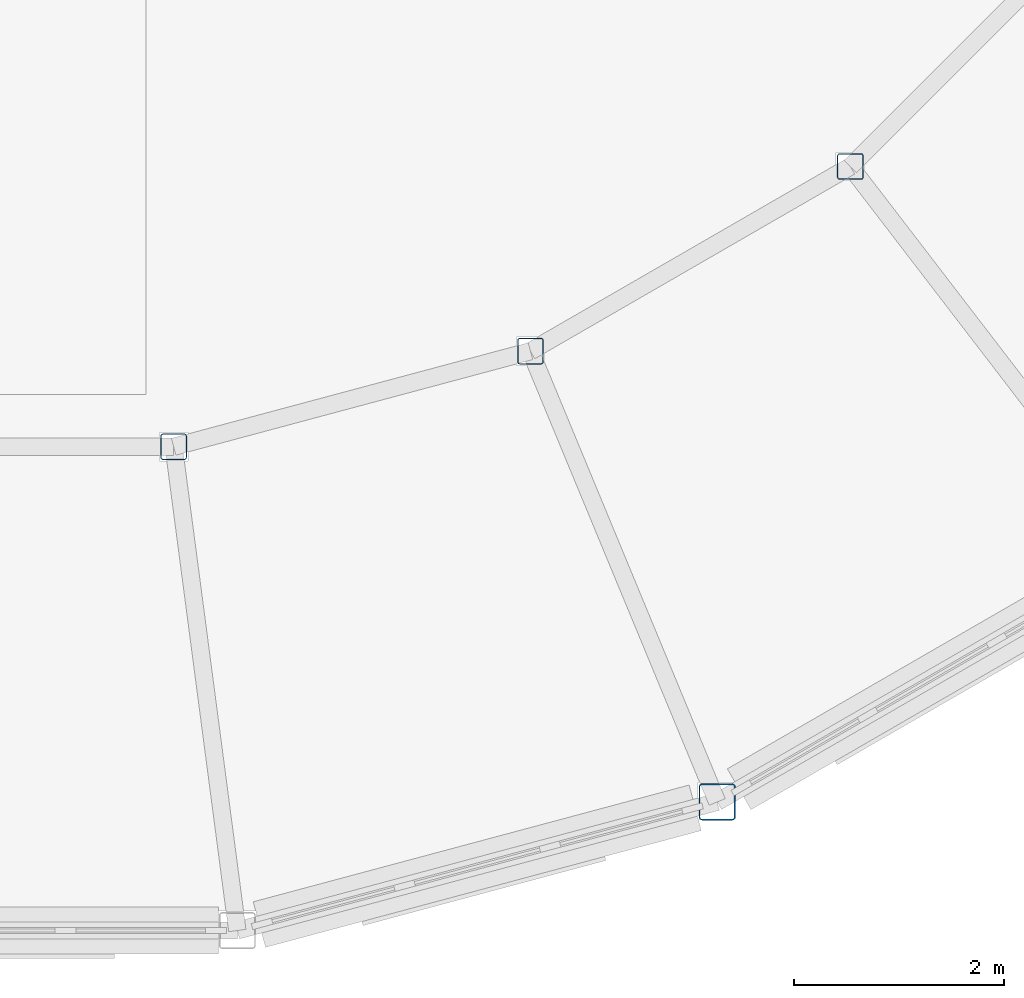
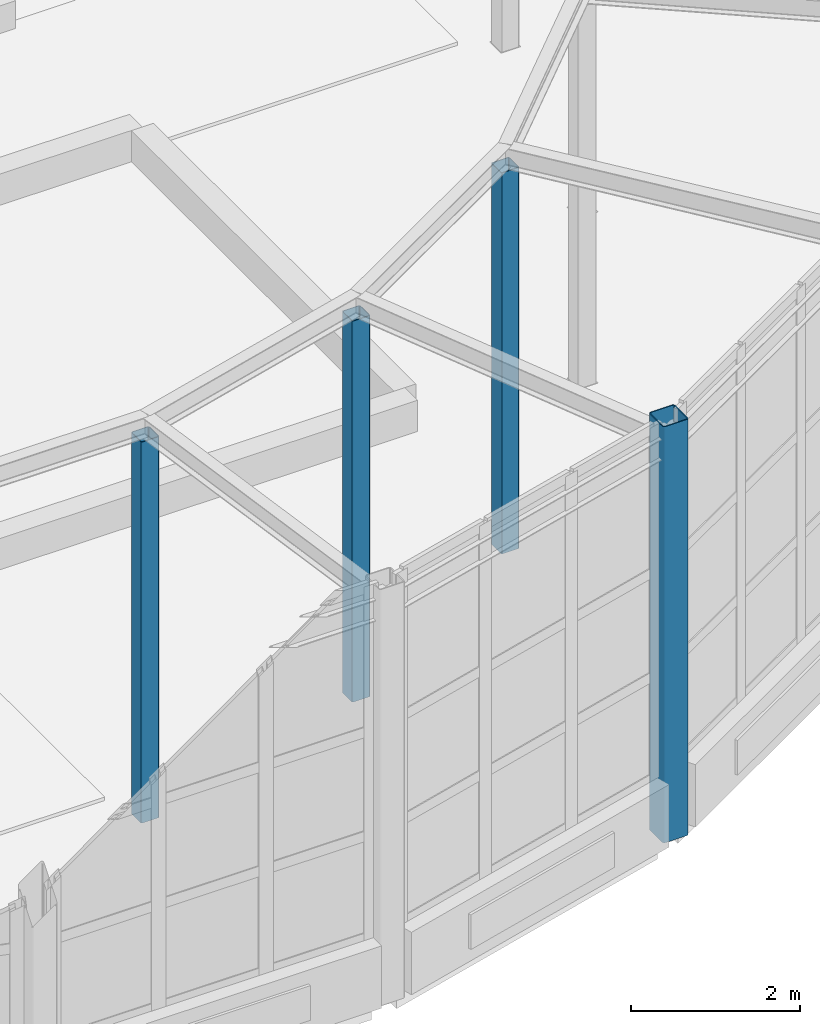
# One storey, part 8 of 106: 4 columns.
"""IFC4 building model written with IfcOpenShell, lengths in metres."""

from ifc_helpers import new_model, si_unit, direction, frame, origin, origin_2d, place, context, subcontext, project, spatial, hollow_rectangle, extrude, material, material_profile, profile_set, type_object, element, save


model = new_model("IFC4")

# Units and contexts
model_context = context("Model", 3, precision=1e-05, world=origin(), true_north=direction((0.0, 1.0)))
body_context = subcontext(model_context, "Body", "Model", "MODEL_VIEW")
ifc_project = project(units=[si_unit("LENGTHUNIT", "METRE"), si_unit("AREAUNIT", "SQUARE_METRE"), si_unit("VOLUMEUNIT", "CUBIC_METRE"), si_unit("PLANEANGLEUNIT", "RADIAN"), si_unit("MASSUNIT", "GRAM", prefix="KILO")], contexts=[model_context])

# Site, building, storey
site_placement = place(None, origin())
site = spatial("IfcSite", under=ifc_project, at=site_placement, CompositionType="ELEMENT")
building_placement = place(site_placement, origin())
building = spatial("IfcBuilding", under=site, at=building_placement, Name="Hortulan Conservatory and Botanical Research Centre", CompositionType="ELEMENT")
storey_placement = place(building_placement, origin())
storey = spatial("IfcBuildingStorey", under=building, at=storey_placement, Name="L00", CompositionType="ELEMENT", Elevation=0.0)

# Columns
ifc_material = material(Name="Steel Grade C450L0 (450 MPa, AS/NZS 1163)", Category="steel")
ifc_material_profile_1 = material_profile(ifc_material, hollow_rectangle(XDim=0.35009765625, YDim=0.35009765625, WallThickness=0.012451171875, InnerFilletRadius=0.018798828125, OuterFilletRadius=0.03125, at=origin_2d()), Name="350x350x12.5SHS")
ifc_profile_set_1 = profile_set([ifc_material_profile_1], Name="Steel Grade C450L0 (450 MPa, AS/NZS 1163)")
column_type_1 = type_object("IfcColumnType", Name="Dome Drum Column 350x350x12.5 SHS", PredefinedType="COLUMN", material=ifc_profile_set_1)
column_placement = place(storey_placement, frame((60.94775390625, 1.226806640625, 0.0), z_axis=(0.0, 0.0, 1.0), x_axis=(1.0, 0.0, 0.0)))
element("IfcColumn", 1, at=column_placement, inside=storey, type_object=column_type_1, Name="Dome drum column 20 L00", PredefinedType="COLUMN", context=body_context, shape_type="SweptSolid", body=[
    extrude(hollow_rectangle(XDim=0.35009765625, YDim=0.35009765625, WallThickness=0.012451171875, InnerFilletRadius=0.018798828125, OuterFilletRadius=0.03125, at=origin_2d()), origin(), (0.0, 0.0, 1.0), 6.0),
])
ifc_material_profile_2 = material_profile(ifc_material, hollow_rectangle(XDim=0.25, YDim=0.25, WallThickness=0.009033203125, InnerFilletRadius=0.013427734375, OuterFilletRadius=0.0224609375, at=origin_2d()), Name="250x250x9SHS")
ifc_profile_set_2 = profile_set([ifc_material_profile_2], Name="Steel Grade C450L0 (450 MPa, AS/NZS 1163)")
column_type_2 = type_object("IfcColumnType", Name="Dome Walk Support Column 250x250x9 SHS", PredefinedType="COLUMN", material=ifc_profile_set_2)
for number, where, z_axis, x_axis, name in (
    (2, (55.76220703125, 4.615478515625, 0.0), (0.0, 0.0, 1.0), (1.0, 0.0, 0.0), "Dome walk support 19 L00"),
    (3, (59.166259765625, 5.527587890625, 0.0), (0.0, 0.0, 1.0), (1.0, 0.0, 0.0), "Dome walk support 20 L00"),
    (4, (62.21826171875, 7.289794921875, 0.0), (0.0, 0.0, 1.0), (1.0, 0.0, 0.0), "Dome walk support 21 L00"),
):
    element("IfcColumn", number, at=place(storey_placement, frame(where, z_axis=z_axis, x_axis=x_axis)), inside=storey, type_object=column_type_2, Name=name, PredefinedType="COLUMN", context=body_context, shape_type="SweptSolid", body=[
        extrude(hollow_rectangle(XDim=0.25, YDim=0.25, WallThickness=0.009033203125, InnerFilletRadius=0.013427734375, OuterFilletRadius=0.0224609375, at=origin_2d()), origin(), (0.0, 0.0, 1.0), 5.492919921875),
    ])

save(model, "model.ifc")
